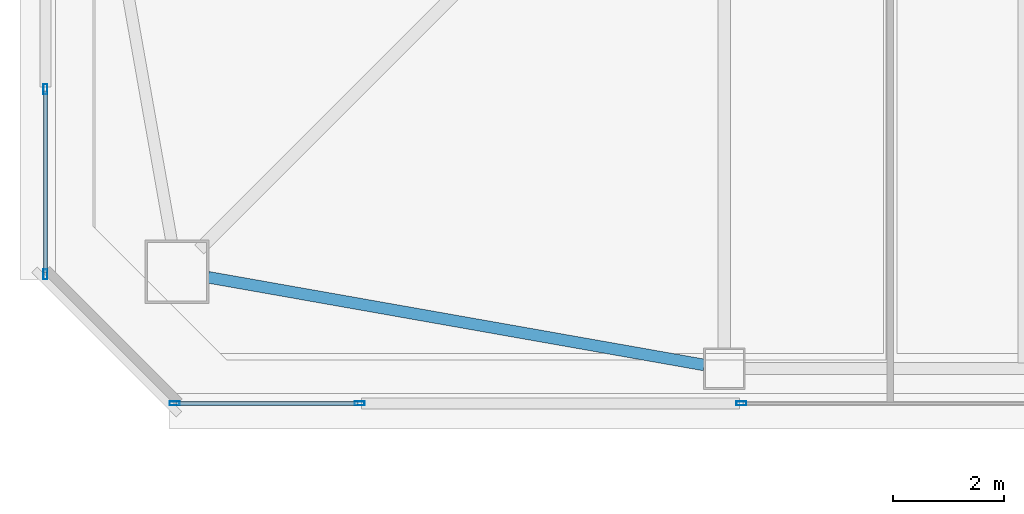
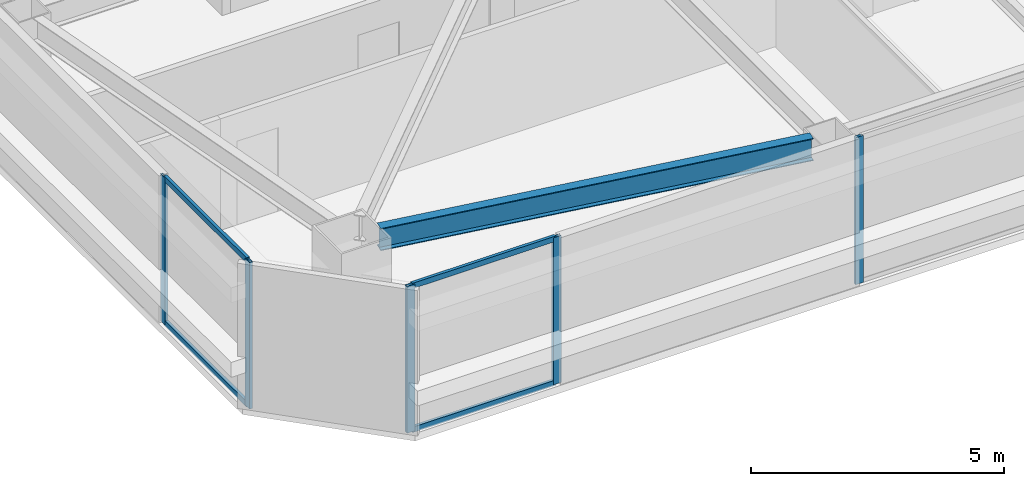
# One storey, part 3 of 41: 9 members, 1 beam, 3 elements without a shape of their own.
"""IFC4 building model written with IfcOpenShell, lengths in metres."""

from ifc_helpers import new_model, si_unit, direction, frame, origin, origin_2d, place, context, subcontext, project, spatial, hollow_rectangle, i_section, extrude, material, material_profile, profile_set, type_object, element, aggregate, save


model = new_model("IFC4")

# Units and contexts
model_context = context("Model", 3, precision=1e-05, world=origin(), true_north=direction((0.0, 1.0)))
body_context = subcontext(model_context, "Body", "Model", "MODEL_VIEW")
ifc_project = project(units=[si_unit("LENGTHUNIT", "METRE"), si_unit("AREAUNIT", "SQUARE_METRE"), si_unit("VOLUMEUNIT", "CUBIC_METRE"), si_unit("PLANEANGLEUNIT", "RADIAN"), si_unit("MASSUNIT", "GRAM", prefix="KILO")], contexts=[model_context])

# Site, building, storey
site_placement = place(None, origin())
site = spatial("IfcSite", under=ifc_project, at=site_placement, CompositionType="ELEMENT")
building_placement = place(site_placement, origin())
building = spatial("IfcBuilding", under=site, at=building_placement, Name="Tashvorn Skyway Center", CompositionType="ELEMENT")
storey_placement = place(building_placement, frame((0.0, 0.0, 171.199951171875)))
storey = spatial("IfcBuildingStorey", under=building, at=storey_placement, Name="L46", CompositionType="ELEMENT", Elevation=171.199951171875)

# Beam
ifc_material_1 = material(Name="Steel ASTM A992 Grade 50", Category="steel")
ifc_material_profile_1 = material_profile(ifc_material_1, i_section(OverallWidth=0.2109375, OverallDepth=0.5390625, WebThickness=0.01171875, FlangeThickness=0.018798828125, at=origin_2d()), Name="W21X73")
ifc_profile_set_1 = profile_set([ifc_material_profile_1], Name="Steel ASTM A992 Grade 50")
beam_type = type_object("IfcBeamType", Name="BM-SPANDREL-W21X73", PredefinedType="SPANDREL", material=ifc_profile_set_1)
beam_placement = place(storey_placement, frame((27.26123046875, 16.600830078125, 3.1005859375), z_axis=(0.984732545667, -0.174074160933, 0.0), x_axis=(0.174074160933, 0.984732545667, 0.0)))
element("IfcBeam", 1, at=beam_placement, inside=storey, type_object=beam_type, Name="Tower 1 L46 Spandrel Beam 01", PredefinedType="SPANDREL", context=body_context, shape_type="SweptSolid", body=[
    extrude(i_section(OverallWidth=0.2109375, OverallDepth=0.5390625, WebThickness=0.01171875, FlangeThickness=0.018798828125, at=origin_2d()), origin(), (0.0, 0.0, 1.0), 9.113525390625),
])

# Curtain wall, member
ifc_material_2 = material(Name="Thermally broken bronze-anodized aluminium 6063-T6", Category="aluminium")
curtain_wall_type = type_object("IfcCurtainWallType", Name="CW-CW-Z4", PredefinedType="NOTDEFINED", material=ifc_material_2)
curtain_wall_1_placement = place(storey_placement, origin())
curtain_wall_1 = element("IfcCurtainWall", 2, at=curtain_wall_1_placement, inside=storey, type_object=curtain_wall_type, Name="Tower 1 L46 South Unitised Curtain Wall Glazing Group 2", PredefinedType="NOTDEFINED")
ifc_material_profile_2 = material_profile(ifc_material_2, hollow_rectangle(XDim=0.070068359375, YDim=0.179931640625, WallThickness=0.00390625, at=origin_2d()), Name="ALU-MULL-70x180")
ifc_profile_set_2 = profile_set([ifc_material_profile_2], Name="Thermally broken bronze-anodized aluminium 6063-T6")
member_type_1 = type_object("IfcMemberType", Name="CWM-CW-Z4", PredefinedType="MULLION", material=ifc_profile_set_2)
member_1_placement = place(storey_placement, frame((36.908203125, 14.320068359375, 0.0), z_axis=(0.0, 0.0, 1.0), x_axis=(0.0, -1.0, 0.0)))
member_1 = element("IfcMember", 3, at=member_1_placement, type_object=member_type_1, Name="CW-Z4 mullion 2", PredefinedType="MULLION", context=body_context, shape_type="SweptSolid", body=[
    extrude(hollow_rectangle(XDim=0.070068359375, YDim=0.179931640625, WallThickness=0.00390625, at=origin_2d()), origin(), (0.0, 0.0, 1.0), 3.550048828125),
])
aggregate(curtain_wall_1, [member_1])

# Curtain wall, members
curtain_wall_2_placement = place(storey_placement, origin())
curtain_wall_2 = element("IfcCurtainWall", 4, at=curtain_wall_2_placement, inside=storey, type_object=curtain_wall_type, Name="Tower 1 L46 South Unitised Curtain Wall Glazing Group 3", PredefinedType="NOTDEFINED")
member_2_placement = place(storey_placement, frame((30.002685546875, 14.320068359375, 0.0), z_axis=(0.0, 0.0, 1.0), x_axis=(0.0, -1.0, 0.0)))
member_2 = element("IfcMember", 5, at=member_2_placement, type_object=member_type_1, Name="CW-Z4 mullion 1", PredefinedType="MULLION", context=body_context, shape_type="SweptSolid", body=[
    extrude(hollow_rectangle(XDim=0.070068359375, YDim=0.179931640625, WallThickness=0.00390625, at=origin_2d()), origin(), (0.0, 0.0, 1.0), 3.550048828125),
])
member_3_placement = place(storey_placement, frame((26.655029296875, 14.320068359375, 0.0), z_axis=(0.0, 0.0, 1.0), x_axis=(0.0, -1.0, 0.0)))
member_3 = element("IfcMember", 6, at=member_3_placement, type_object=member_type_1, Name="CW-Z4 mullion 2", PredefinedType="MULLION", context=body_context, shape_type="SweptSolid", body=[
    extrude(hollow_rectangle(XDim=0.070068359375, YDim=0.179931640625, WallThickness=0.00390625, at=origin_2d()), origin(), (0.0, 0.0, 1.0), 3.550048828125),
])

curtain_wall_3_placement = place(storey_placement, origin())
curtain_wall_3 = element("IfcCurtainWall", 7, at=curtain_wall_3_placement, inside=storey, type_object=curtain_wall_type, Name="Tower 1 L46 West Unitised Curtain Wall Glazing Group 1", PredefinedType="NOTDEFINED")
member_4_placement = place(storey_placement, frame((24.320068359375, 16.655029296875, 0.0), z_axis=(0.0, 0.0, 1.0), x_axis=(-1.0, 0.0, 0.0)))
member_4 = element("IfcMember", 8, at=member_4_placement, type_object=member_type_1, Name="CW-Z4 mullion 1", PredefinedType="MULLION", context=body_context, shape_type="SweptSolid", body=[
    extrude(hollow_rectangle(XDim=0.070068359375, YDim=0.179931640625, WallThickness=0.00390625, at=origin_2d()), origin(), (0.0, 0.0, 1.0), 3.550048828125),
])
member_5_placement = place(storey_placement, frame((24.320068359375, 20.002685546875, 0.0), z_axis=(0.0, 0.0, 1.0), x_axis=(-1.0, 0.0, 0.0)))
member_5 = element("IfcMember", 9, at=member_5_placement, type_object=member_type_1, Name="CW-Z4 mullion 2", PredefinedType="MULLION", context=body_context, shape_type="SweptSolid", body=[
    extrude(hollow_rectangle(XDim=0.070068359375, YDim=0.179931640625, WallThickness=0.00390625, at=origin_2d()), origin(), (0.0, 0.0, 1.0), 3.550048828125),
])

# Member
ifc_material_profile_3 = material_profile(ifc_material_2, hollow_rectangle(XDim=0.070068359375, YDim=0.1298828125, WallThickness=0.00390625, at=origin_2d()), Name="ALU-TRAN-70x130")
ifc_profile_set_3 = profile_set([ifc_material_profile_3], Name="Thermally broken bronze-anodized aluminium 6063-T6")
member_type_2 = type_object("IfcMemberType", Name="CWT-CW-Z4", PredefinedType="USERDEFINED", material=ifc_profile_set_3)
member_6_placement = place(storey_placement, frame((29.9677734375, 14.320068359375, 0.03515625), z_axis=(-1.0, 0.0, 0.0), x_axis=(0.0, -1.0, 0.0)))
member_6 = element("IfcMember", 10, at=member_6_placement, type_object=member_type_2, Name="CW-Z4 transom 1.1", ObjectType="TRANSOM", PredefinedType="USERDEFINED", context=body_context, shape_type="SweptSolid", body=[
    extrude(hollow_rectangle(XDim=0.070068359375, YDim=0.1298828125, WallThickness=0.00390625, at=origin_2d()), origin(), (0.0, 0.0, 1.0), 3.27783203125),
])

member_7_placement = place(storey_placement, frame((29.9677734375, 14.320068359375, 3.51513671875), z_axis=(-1.0, 0.0, 0.0), x_axis=(0.0, -1.0, 0.0)))
member_7 = element("IfcMember", 11, at=member_7_placement, type_object=member_type_2, Name="CW-Z4 transom 1.2", ObjectType="TRANSOM", PredefinedType="USERDEFINED", context=body_context, shape_type="SweptSolid", body=[
    extrude(hollow_rectangle(XDim=0.070068359375, YDim=0.1298828125, WallThickness=0.00390625, at=origin_2d()), origin(), (0.0, 0.0, 1.0), 3.27783203125),
])

aggregate(curtain_wall_2, [member_2, member_3, member_6, member_7])

member_8_placement = place(storey_placement, frame((24.320068359375, 16.68994140625, 0.03515625), z_axis=(0.0, 1.0, 0.0), x_axis=(-1.0, 0.0, 0.0)))
member_8 = element("IfcMember", 12, at=member_8_placement, type_object=member_type_2, Name="CW-Z4 transom 1.1", ObjectType="TRANSOM", PredefinedType="USERDEFINED", context=body_context, shape_type="SweptSolid", body=[
    extrude(hollow_rectangle(XDim=0.070068359375, YDim=0.1298828125, WallThickness=0.00390625, at=origin_2d()), origin(), (0.0, 0.0, 1.0), 3.27783203125),
])

member_9_placement = place(storey_placement, frame((24.320068359375, 16.68994140625, 3.51513671875), z_axis=(0.0, 1.0, 0.0), x_axis=(-1.0, 0.0, 0.0)))
member_9 = element("IfcMember", 13, at=member_9_placement, type_object=member_type_2, Name="CW-Z4 transom 1.2", ObjectType="TRANSOM", PredefinedType="USERDEFINED", context=body_context, shape_type="SweptSolid", body=[
    extrude(hollow_rectangle(XDim=0.070068359375, YDim=0.1298828125, WallThickness=0.00390625, at=origin_2d()), origin(), (0.0, 0.0, 1.0), 3.27783203125),
])

aggregate(curtain_wall_3, [member_4, member_5, member_8, member_9])

save(model, "model.ifc")
